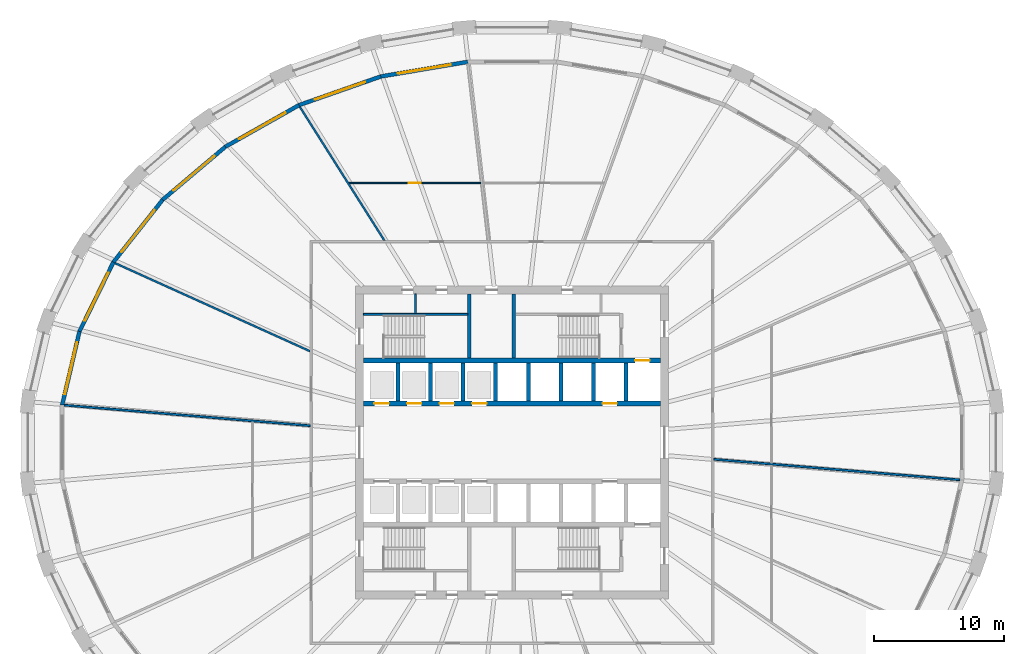
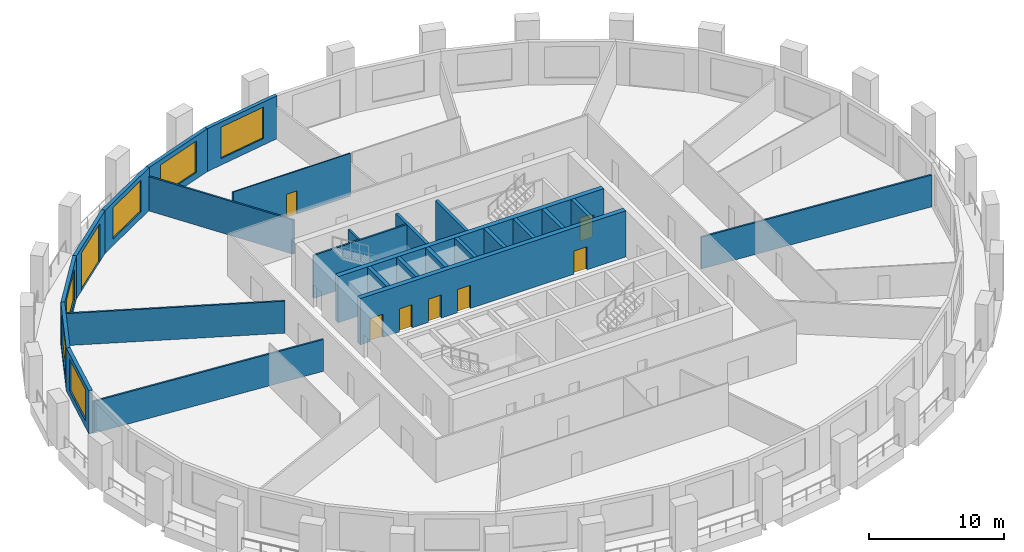
# One storey, part 5 of 10: 26 walls, 8 doors, 6 windows, 14 openings.
"""IFC4 building model written with IfcOpenShell, lengths in metres."""

from ifc_helpers import new_model, si_unit, direction, frame, frame_2d, origin, place, context, subcontext, project, spatial, polyline, rectangle, outline, extrude, material, layer, layer_set, type_object, element, fill, save


model = new_model("IFC4")

# Units and contexts
model_context = context("Model", 3, precision=1e-05, world=origin(), true_north=direction((0.0, 1.0)))
body_context = subcontext(model_context, "Body", "Model", "MODEL_VIEW")
ifc_project = project(units=[si_unit("LENGTHUNIT", "METRE"), si_unit("AREAUNIT", "SQUARE_METRE"), si_unit("VOLUMEUNIT", "CUBIC_METRE"), si_unit("PLANEANGLEUNIT", "RADIAN"), si_unit("MASSUNIT", "GRAM", prefix="KILO")], contexts=[model_context])

# Site, building, storey
site_placement = place(None, origin())
site = spatial("IfcSite", under=ifc_project, at=site_placement, CompositionType="ELEMENT")
building_placement = place(site_placement, origin())
building = spatial("IfcBuilding", under=site, at=building_placement, Name="Halqa Exchange Tower", CompositionType="ELEMENT")
storey_placement = place(building_placement, frame((0.0, 0.0, 48.699951171875)))
storey = spatial("IfcBuildingStorey", under=building, at=storey_placement, Name="L10", CompositionType="ELEMENT", Elevation=48.699951171875)

# Walls
ifc_material_1 = material(Name="Fire-rated gypsum board")
ifc_layer_1 = layer(ifc_material_1, 0.14990234375)
ifc_layer_set_1 = layer_set([ifc_layer_1], Name="Fire-rated gypsum board")
wall_type_1 = type_object("IfcWallType", Name="Fire partition EI 60 150", PredefinedType="PARTITIONING", material=ifc_layer_set_1)
wall_1_placement = place(storey_placement, frame((-34.343017578125, 2.864501953125, 0.0), z_axis=(0.0, 0.0, 1.0), x_axis=(0.996520554602, -0.083347371018, 0.0)))
element("IfcWall", 1, at=wall_1_placement, inside=storey, type_object=wall_type_1, Name="L10-PWL-001", PredefinedType="PARTITIONING", context=body_context, shape_type="SweptSolid", body=[
    extrude(outline(polyline([(0.0, -0.074951171875), (1.818115234375, -0.074951171875), (3.63623046875, -0.074951171875), (5.45458984375, -0.074951171875), (7.272705078125, -0.074951171875), (9.0908203125, -0.074951171875), (10.908935546875, -0.074951171875), (12.72705078125, -0.074951171875), (14.54541015625, -0.074951171875), (14.5498046875, -0.074462890625), (14.5498046875, -0.074951171875), (16.013427734375, -0.074951171875), (17.476806640625, -0.074951171875), (18.940185546875, -0.074951171875), (18.927734375, 0.074951171875), (17.035400390625, 0.074951171875), (15.143310546875, 0.074951171875), (13.2509765625, 0.074951171875), (11.35888671875, 0.074951171875), (9.466552734375, 0.074951171875), (7.574462890625, 0.074951171875), (5.68212890625, 0.074951171875), (3.7900390625, 0.074951171875), (1.897705078125, 0.074951171875), (0.005615234375, 0.074951171875), (0.0, 0.03759765625), (0.0, -0.074951171875)])), origin(), (0.0, 0.0, 1.0), 2.89208984375),
])
wall_2_placement = place(storey_placement, frame((-16.27294921875, 25.74169921875, 0.0), z_axis=(0.0, 0.0, 1.0), x_axis=(0.534654841392, -0.845070529942, 0.0)))
element("IfcWall", 2, at=wall_2_placement, inside=storey, type_object=wall_type_1, Name="L10-PWL-005", PredefinedType="PARTITIONING", context=body_context, shape_type="SweptSolid", body=[
    extrude(outline(polyline([(0.0, -0.074951171875), (1.728759765625, -0.074951171875), (3.45751953125, -0.074951171875), (5.186279296875, -0.074951171875), (6.9150390625, -0.074951171875), (8.64404296875, -0.074951171875), (10.372802734375, -0.074951171875), (12.1015625, -0.074951171875), (12.1962890625, 0.074951171875), (12.1962890625, 0.074951171875), (10.470703125, 0.074951171875), (8.744873046875, 0.074951171875), (7.019287109375, 0.074951171875), (7.017578125, 0.072265625), (7.01318359375, 0.074951171875), (5.26513671875, 0.074951171875), (3.516845703125, 0.074951171875), (1.768798828125, 0.074951171875), (0.020751953125, 0.074951171875), (0.003662109375, 0.00048828125), (0.0, -0.071044921875), (0.0, -0.074951171875)])), origin(), (0.0, 0.0, 1.0), 3.110107421875),
])
wall_3_placement = place(storey_placement, frame((-15.444091796875, 6.97998046875, 0.0), z_axis=(0.0, 0.0, 1.0), x_axis=(-0.911343853748, 0.411645940385, 0.0)))
element("IfcWall", 3, at=wall_3_placement, inside=storey, type_object=wall_type_1, Name="L10-PWL-008", PredefinedType="PARTITIONING", context=body_context, shape_type="SweptSolid", body=[
    extrude(outline(polyline([(0.06787109375, -0.074951171875), (1.88671875, -0.074951171875), (3.705810546875, -0.074951171875), (5.52490234375, -0.074951171875), (7.34375, -0.074951171875), (9.162841796875, -0.074951171875), (10.98193359375, -0.074951171875), (12.80078125, -0.074951171875), (14.619873046875, -0.074951171875), (16.43896484375, -0.074951171875), (16.45654296875, -0.003662109375), (16.458740234375, 0.064208984375), (16.458740234375, 0.074951171875), (14.6298828125, 0.074951171875), (12.80126953125, 0.074951171875), (10.972412109375, 0.074951171875), (9.143798828125, 0.074951171875), (7.31494140625, 0.074951171875), (5.486328125, 0.074951171875), (3.657470703125, 0.074951171875), (1.828857421875, 0.074951171875), (0.0, 0.074951171875), (0.06787109375, -0.074951171875)])), origin(), (0.0, 0.0, 1.0), 2.91015625),
])
wall_4_placement = place(storey_placement, frame((15.46875, -1.285888671875, 0.0), z_axis=(0.0, 0.0, 1.0), x_axis=(0.996520554602, -0.083347371018, 0.0)))
element("IfcWall", 4, at=wall_4_placement, inside=storey, type_object=wall_type_1, Name="L10-PWL-020", PredefinedType="PARTITIONING", context=body_context, shape_type="SweptSolid", body=[
    extrude(outline(polyline([(0.012451171875, -0.074951171875), (1.505859375, -0.074951171875), (2.9990234375, -0.074951171875), (4.4921875, -0.074951171875), (4.503173828125, -0.073974609375), (4.503173828125, -0.074951171875), (6.30712890625, -0.074951171875), (8.111083984375, -0.074951171875), (9.9150390625, -0.074951171875), (11.718994140625, -0.074951171875), (13.52294921875, -0.074951171875), (15.32666015625, -0.074951171875), (17.130615234375, -0.074951171875), (18.9345703125, -0.074951171875), (18.940185546875, -0.03759765625), (18.940185546875, 0.074951171875), (17.1220703125, 0.074951171875), (15.303955078125, 0.074951171875), (13.485595703125, 0.074951171875), (11.66748046875, 0.074951171875), (9.849365234375, 0.074951171875), (8.03125, 0.074951171875), (6.213134765625, 0.074951171875), (4.394775390625, 0.074951171875), (4.390380859375, 0.074462890625), (4.390380859375, 0.074951171875), (2.9267578125, 0.074951171875), (1.46337890625, 0.074951171875), (0.0, 0.074951171875), (0.012451171875, -0.074951171875)])), origin(), (0.0, 0.0, 1.0), 2.89208984375),
])

# Wall, opening, door
ifc_material_2 = material(Name="Gypsum board")
ifc_layer_2 = layer(ifc_material_2, 0.10009765625)
ifc_layer_set_2 = layer_set([ifc_layer_2], Name="Gypsum board")
wall_type_2 = type_object("IfcWallType", Name="Partition 100 gypsum", PredefinedType="PARTITIONING", material=ifc_layer_set_2)
wall_5_placement = place(storey_placement, frame((-12.51953125, 19.89990234375, 0.0), z_axis=(0.0, 0.0, 1.0), x_axis=(1.0, 0.0, 0.0)))
wall_5 = element("IfcWall", 5, at=wall_5_placement, inside=storey, type_object=wall_type_2, Name="L10-PWL-011", PredefinedType="PARTITIONING", context=body_context, shape_type="SweptSolid", body=[
    extrude(outline(polyline([(10.133544921875, -0.050048828125), (10.133544921875, -0.049072265625), (10.1220703125, 0.050048828125), (8.43505859375, 0.050048828125), (6.748046875, 0.050048828125), (5.06103515625, 0.050048828125), (3.3740234375, 0.050048828125), (1.68701171875, 0.050048828125), (0.0, 0.050048828125), (0.0, 0.049560546875), (0.06298828125, -0.050048828125), (1.741455078125, -0.050048828125), (3.419677734375, -0.050048828125), (5.09814453125, -0.050048828125), (6.776611328125, -0.050048828125), (8.455078125, -0.050048828125), (10.133544921875, -0.050048828125)])), origin(), (0.0, 0.0, 1.0), 3.900146484375),
])
opening_1_placement = place(wall_5_placement, frame((4.619384765625, 0.0, 0.0)))
opening_1 = element("IfcOpeningElement", 6, at=opening_1_placement, cuts=wall_5, Name="Opening 03-15", PredefinedType="OPENING", context=body_context, shape_type="SweptSolid", body=[
    extrude(rectangle(XDim=0.89990234375, YDim=2.10009765625, at=frame_2d((0.449951171875, 1.050048828125))), frame((0.0, 0.06201171875, 0.0), z_axis=(0.0, -1.0, 0.0), x_axis=(1.0, 0.0, 0.0)), (0.0, 0.0, 1.0), 0.1240234375),
])
ifc_material_3 = material(Name="Timber door leaf", Category="wood")
door_type_1 = type_object("IfcDoorType", Name="Door 900 x 2100", OperationType="SINGLE_SWING_LEFT", PredefinedType="DOOR", material=ifc_material_3)
door_1_placement = place(opening_1_placement, frame((0.89990234375, 0.0, 0.0), z_axis=(0.0, 0.0, 1.0), x_axis=(-1.0, 0.0, 0.0)))
door_1 = element("IfcDoor", 7, at=door_1_placement, inside=storey, type_object=door_type_1, Name="L10-IDR-015", OperationType="SINGLE_SWING_LEFT", OverallHeight=2.10009765625, OverallWidth=0.89990234375, PredefinedType="DOOR", context=body_context, shape_type="SweptSolid", body=[
    extrude(rectangle(XDim=0.89990234375, YDim=2.10009765625, at=frame_2d((0.449951171875, 1.050048828125))), frame((0.0, 0.02490234375, 0.0), z_axis=(0.0, -1.0, 0.0), x_axis=(1.0, 0.0, 0.0)), (0.0, 0.0, 1.0), 0.050048828125),
])
fill(opening_1, door_1)

# Walls
ifc_layer_3 = layer(ifc_material_2, 0.14990234375)
ifc_layer_set_3 = layer_set([ifc_layer_3], Name="Gypsum board")
wall_type_3 = type_object("IfcWallType", Name="Penthouse riser wall 150 gypsum", PredefinedType="PARTITIONING", material=ifc_layer_set_3)
wall_6_placement = place(storey_placement, frame((-7.39990234375, 9.89990234375, 0.0), z_axis=(0.0, 0.0, 1.0), x_axis=(0.0, 1.0, 0.0)))
element("IfcWall", 8, at=wall_6_placement, inside=storey, type_object=wall_type_3, Name="Partition W7.400 N", PredefinedType="PARTITIONING", context=body_context, shape_type="SweptSolid", body=[
    extrude(rectangle(XDim=1.5, YDim=0.14990234375, at=frame_2d((0.75, 0.0))), origin(), (0.0, 0.0, 1.0), 3.900146484375),
])
ifc_material_4 = material(Name="Concrete C60/75", Category="concrete")
ifc_layer_4 = layer(ifc_material_4, 0.300048828125)
ifc_layer_set_4 = layer_set([ifc_layer_4], Name="Concrete C60/75")
wall_type_4 = type_object("IfcWallType", Name="RC core wall 300", PredefinedType="SHEAR", material=ifc_layer_set_4)
for number, where, z_axis, x_axis, name in (
    (9, (-8.75, 3.199951171875, 0.0), (0.0, 0.0, 1.0), (0.0, 1.0, 0.0), "Shaft divider N1"),
    (10, (-6.25, 3.199951171875, 0.0), (0.0, 0.0, 1.0), (0.0, 1.0, 0.0), "Shaft divider N2"),
    (11, (-3.75, 3.199951171875, 0.0), (0.0, 0.0, 1.0), (0.0, 1.0, 0.0), "Shaft divider N3"),
    (12, (-1.25, 3.199951171875, 0.0), (0.0, 0.0, 1.0), (0.0, 1.0, 0.0), "Shaft divider N4"),
    (13, (1.25, 3.199951171875, 0.0), (0.0, 0.0, 1.0), (0.0, 1.0, 0.0), "Shaft divider N5"),
    (14, (3.75, 3.199951171875, 0.0), (0.0, 0.0, 1.0), (0.0, 1.0, 0.0), "Shaft divider N6"),
    (15, (6.25, 3.199951171875, 0.0), (0.0, 0.0, 1.0), (0.0, 1.0, 0.0), "Shaft divider N7"),
    (16, (8.75, 3.199951171875, 0.0), (0.0, 0.0, 1.0), (0.0, 1.0, 0.0), "Shaft divider N8"),
):
    element("IfcWall", number, at=place(storey_placement, frame(where, z_axis=z_axis, x_axis=x_axis)), inside=storey, type_object=wall_type_4, Name=name, PredefinedType="SHEAR", context=body_context, shape_type="SweptSolid", body=[
        extrude(rectangle(XDim=2.900146484375, YDim=0.300048828125, at=frame_2d((1.4501953125, 0.0))), origin(), (0.0, 0.0, 1.0), 4.199951171875),
    ])

# Wall, openings, doors
ifc_material_5 = material(Name="Concrete C80/95", Category="concrete")
ifc_layer_5 = layer(ifc_material_5, 0.39990234375)
ifc_layer_set_5 = layer_set([ifc_layer_5], Name="Concrete C80/95")
wall_type_5 = type_object("IfcWallType", Name="RC core wall 400 C80/95", PredefinedType="SHEAR", material=ifc_layer_set_5)
wall_7_placement = place(storey_placement, frame((-11.39990234375, 3.0, 0.0), z_axis=(0.0, 0.0, 1.0), x_axis=(1.0, 0.0, 0.0)))
wall_7 = element("IfcWall", 17, at=wall_7_placement, inside=storey, type_object=wall_type_5, Name="Lift row front wall N", PredefinedType="SHEAR", context=body_context, shape_type="SweptSolid", body=[
    extrude(rectangle(XDim=22.7998046875, YDim=0.39990234375, at=frame_2d((11.39990234375, 0.0))), origin(), (0.0, 0.0, 1.0), 4.199951171875),
])
opening_2_placement = place(wall_7_placement, frame((0.85009765625, 0.0, 0.0)))
opening_2 = element("IfcOpeningElement", 18, at=opening_2_placement, cuts=wall_7, Name="Opening LD-LR1-T03", PredefinedType="OPENING", context=body_context, shape_type="SweptSolid", body=[
    extrude(rectangle(XDim=1.10009765625, YDim=2.10009765625, at=frame_2d((0.550048828125, 1.050048828125))), frame((0.0, 0.2119140625, 0.0), z_axis=(0.0, -1.0, 0.0), x_axis=(1.0, 0.0, 0.0)), (0.0, 0.0, 1.0), 0.423828125),
])
opening_3_placement = place(wall_7_placement, frame((3.35009765625, 0.0, 0.0)))
opening_3 = element("IfcOpeningElement", 19, at=opening_3_placement, cuts=wall_7, Name="Opening LD-LR2-T03", PredefinedType="OPENING", context=body_context, shape_type="SweptSolid", body=[
    extrude(rectangle(XDim=1.10009765625, YDim=2.10009765625, at=frame_2d((0.550048828125, 1.050048828125))), frame((0.0, 0.2119140625, 0.0), z_axis=(0.0, -1.0, 0.0), x_axis=(1.0, 0.0, 0.0)), (0.0, 0.0, 1.0), 0.423828125),
])
opening_4_placement = place(wall_7_placement, frame((5.85009765625, 0.0, 0.0)))
opening_4 = element("IfcOpeningElement", 20, at=opening_4_placement, cuts=wall_7, Name="Opening LD-LR3-T03", PredefinedType="OPENING", context=body_context, shape_type="SweptSolid", body=[
    extrude(rectangle(XDim=1.10009765625, YDim=2.10009765625, at=frame_2d((0.550048828125, 1.050048828125))), frame((0.0, 0.2119140625, 0.0), z_axis=(0.0, -1.0, 0.0), x_axis=(1.0, 0.0, 0.0)), (0.0, 0.0, 1.0), 0.423828125),
])
opening_5_placement = place(wall_7_placement, frame((8.35009765625, 0.0, 0.0)))
opening_5 = element("IfcOpeningElement", 21, at=opening_5_placement, cuts=wall_7, Name="Opening LD-LR4-T03", PredefinedType="OPENING", context=body_context, shape_type="SweptSolid", body=[
    extrude(rectangle(XDim=1.10009765625, YDim=2.10009765625, at=frame_2d((0.550048828125, 1.050048828125))), frame((0.0, 0.2119140625, 0.0), z_axis=(0.0, -1.0, 0.0), x_axis=(1.0, 0.0, 0.0)), (0.0, 0.0, 1.0), 0.423828125),
])
opening_6_placement = place(wall_7_placement, frame((18.35009765625, 0.0, 0.0)))
opening_6 = element("IfcOpeningElement", 22, at=opening_6_placement, cuts=wall_7, Name="Opening LD-SV1-T03", PredefinedType="OPENING", context=body_context, shape_type="SweptSolid", body=[
    extrude(rectangle(XDim=1.10009765625, YDim=2.10009765625, at=frame_2d((0.550048828125, 1.050048828125))), frame((0.0, 0.2119140625, 0.0), z_axis=(0.0, -1.0, 0.0), x_axis=(1.0, 0.0, 0.0)), (0.0, 0.0, 1.0), 0.423828125),
])
ifc_material_6 = material(Name="Stainless steel", Category="steel")
door_type_2 = type_object("IfcDoorType", Name="Lift landing door 1100 x 2100", OperationType="SLIDING_TO_LEFT", PredefinedType="DOOR", material=ifc_material_6)
door_2_placement = place(opening_2_placement, origin())
door_2 = element("IfcDoor", 23, at=door_2_placement, inside=storey, type_object=door_type_2, Name="Lift landing door LR1", OperationType="SLIDING_TO_LEFT", OverallHeight=2.10009765625, OverallWidth=1.10009765625, PredefinedType="DOOR", context=body_context, shape_type="SweptSolid", body=[
    extrude(rectangle(XDim=1.10009765625, YDim=2.10009765625, at=frame_2d((0.550048828125, 1.050048828125))), frame((0.0, 0.02490234375, 0.0), z_axis=(0.0, -1.0, 0.0), x_axis=(1.0, 0.0, 0.0)), (0.0, 0.0, 1.0), 0.050048828125),
])
fill(opening_2, door_2)
door_3_placement = place(opening_3_placement, origin())
door_3 = element("IfcDoor", 24, at=door_3_placement, inside=storey, type_object=door_type_2, Name="Lift landing door LR2", OperationType="SLIDING_TO_LEFT", OverallHeight=2.10009765625, OverallWidth=1.10009765625, PredefinedType="DOOR", context=body_context, shape_type="SweptSolid", body=[
    extrude(rectangle(XDim=1.10009765625, YDim=2.10009765625, at=frame_2d((0.550048828125, 1.050048828125))), frame((0.0, 0.02490234375, 0.0), z_axis=(0.0, -1.0, 0.0), x_axis=(1.0, 0.0, 0.0)), (0.0, 0.0, 1.0), 0.050048828125),
])
fill(opening_3, door_3)
door_4_placement = place(opening_4_placement, origin())
door_4 = element("IfcDoor", 25, at=door_4_placement, inside=storey, type_object=door_type_2, Name="Lift landing door LR3", OperationType="SLIDING_TO_LEFT", OverallHeight=2.10009765625, OverallWidth=1.10009765625, PredefinedType="DOOR", context=body_context, shape_type="SweptSolid", body=[
    extrude(rectangle(XDim=1.10009765625, YDim=2.10009765625, at=frame_2d((0.550048828125, 1.050048828125))), frame((0.0, 0.02490234375, 0.0), z_axis=(0.0, -1.0, 0.0), x_axis=(1.0, 0.0, 0.0)), (0.0, 0.0, 1.0), 0.050048828125),
])
fill(opening_4, door_4)
door_5_placement = place(opening_5_placement, origin())
door_5 = element("IfcDoor", 26, at=door_5_placement, inside=storey, type_object=door_type_2, Name="Lift landing door LR4", OperationType="SLIDING_TO_LEFT", OverallHeight=2.10009765625, OverallWidth=1.10009765625, PredefinedType="DOOR", context=body_context, shape_type="SweptSolid", body=[
    extrude(rectangle(XDim=1.10009765625, YDim=2.10009765625, at=frame_2d((0.550048828125, 1.050048828125))), frame((0.0, 0.02490234375, 0.0), z_axis=(0.0, -1.0, 0.0), x_axis=(1.0, 0.0, 0.0)), (0.0, 0.0, 1.0), 0.050048828125),
])
fill(opening_5, door_5)
door_6_placement = place(opening_6_placement, origin())
door_6 = element("IfcDoor", 27, at=door_6_placement, inside=storey, type_object=door_type_2, Name="Lift landing door SV1", OperationType="SLIDING_TO_LEFT", OverallHeight=2.10009765625, OverallWidth=1.10009765625, PredefinedType="DOOR", context=body_context, shape_type="SweptSolid", body=[
    extrude(rectangle(XDim=1.10009765625, YDim=2.10009765625, at=frame_2d((0.550048828125, 1.050048828125))), frame((0.0, 0.02490234375, 0.0), z_axis=(0.0, -1.0, 0.0), x_axis=(1.0, 0.0, 0.0)), (0.0, 0.0, 1.0), 0.050048828125),
])
fill(opening_6, door_6)

# Wall, opening, door
wall_8_placement = place(storey_placement, frame((-11.39990234375, 6.300048828125, 0.0), z_axis=(0.0, 0.0, 1.0), x_axis=(1.0, 0.0, 0.0)))
wall_8 = element("IfcWall", 28, at=wall_8_placement, inside=storey, type_object=wall_type_5, Name="Lift row back wall N", PredefinedType="SHEAR", context=body_context, shape_type="SweptSolid", body=[
    extrude(rectangle(XDim=22.7998046875, YDim=0.39990234375, at=frame_2d((11.39990234375, 0.0))), origin(), (0.0, 0.0, 1.0), 4.199951171875),
])
opening_7_placement = place(wall_8_placement, frame((20.85009765625, 0.0, 0.0)))
opening_7 = element("IfcOpeningElement", 29, at=opening_7_placement, cuts=wall_8, Name="Opening LD-FF1-T03", PredefinedType="OPENING", context=body_context, shape_type="SweptSolid", body=[
    extrude(rectangle(XDim=1.10009765625, YDim=2.10009765625, at=frame_2d((0.550048828125, 1.050048828125))), frame((0.0, 0.2119140625, 0.0), z_axis=(0.0, -1.0, 0.0), x_axis=(1.0, 0.0, 0.0)), (0.0, 0.0, 1.0), 0.423828125),
])
door_7_placement = place(opening_7_placement, origin())
door_7 = element("IfcDoor", 30, at=door_7_placement, inside=storey, type_object=door_type_2, Name="Lift landing door FF1", OperationType="SLIDING_TO_LEFT", OverallHeight=2.10009765625, OverallWidth=1.10009765625, PredefinedType="DOOR", context=body_context, shape_type="SweptSolid", body=[
    extrude(rectangle(XDim=1.10009765625, YDim=2.10009765625, at=frame_2d((0.550048828125, 1.050048828125))), frame((0.0, 0.02490234375, 0.0), z_axis=(0.0, -1.0, 0.0), x_axis=(1.0, 0.0, 0.0)), (0.0, 0.0, 1.0), 0.050048828125),
])
fill(opening_7, door_7)

# Walls
ifc_material_7 = material(Name="Concrete C30/37", Category="concrete")
ifc_layer_6 = layer(ifc_material_7, 0.14990234375)
ifc_layer_set_6 = layer_set([ifc_layer_6], Name="Concrete C30/37")
wall_type_6 = type_object("IfcWallType", Name="RC stair wall 150 C30/37", PredefinedType="SHEAR", material=ifc_layer_set_6)
wall_9_placement = place(storey_placement, frame((-11.39990234375, 9.824951171875, 0.0), z_axis=(0.0, 0.0, 1.0), x_axis=(1.0, 0.0, 0.0)))
element("IfcWall", 31, at=wall_9_placement, inside=storey, type_object=wall_type_6, Name="Stair ST1 north wall N", PredefinedType="SHEAR", context=body_context, shape_type="SweptSolid", body=[
    extrude(rectangle(XDim=8.0, YDim=0.14990234375, at=frame_2d((4.0, 0.0))), origin(), (0.0, 0.0, 1.0), 3.900146484375),
])
ifc_layer_7 = layer(ifc_material_7, 0.25)
ifc_layer_set_7 = layer_set([ifc_layer_7], Name="Concrete C30/37")
wall_type_7 = type_object("IfcWallType", Name="RC stair wall 250 C30/37", PredefinedType="SHEAR", material=ifc_layer_set_7)
for number, where, z_axis, x_axis, name in (
    (32, (-3.27490234375, 6.5, 0.0), (0.0, 0.0, 1.0), (0.0, 1.0, 0.0), "Stair ST1 east wall N"),
    (33, (0.125, 6.5, 0.0), (0.0, 0.0, 1.0), (0.0, 1.0, 0.0), "Stair ST2 west wall N"),
):
    element("IfcWall", number, at=place(storey_placement, frame(where, z_axis=z_axis, x_axis=x_axis)), inside=storey, type_object=wall_type_7, Name=name, PredefinedType="SHEAR", context=body_context, shape_type="SweptSolid", body=[
        extrude(rectangle(XDim=4.89990234375, YDim=0.25, at=frame_2d((2.449951171875, 0.0))), origin(), (0.0, 0.0, 1.0), 3.900146484375),
    ])

# Wall, opening, window
ifc_material_8 = material(Name="Limestone cladding", Category="masonry")
ifc_layer_8 = layer(ifc_material_8, 0.0400390625)
ifc_material_9 = material(Name="Ventilated cavity")
ifc_layer_9 = layer(ifc_material_9, 0.030029296875, ventilated=True)
ifc_material_10 = material(Name="Mineral wool insulation")
ifc_layer_10 = layer(ifc_material_10, 0.10009765625)
ifc_layer_11 = layer(ifc_material_7, 0.10009765625)
ifc_material_11 = material(Name="Internal plaster")
ifc_layer_12 = layer(ifc_material_11, 0.030029296875)
ifc_layer_set_8 = layer_set([ifc_layer_8, ifc_layer_9, ifc_layer_10, ifc_layer_11, ifc_layer_12], Name="Stone-faced insulated wall 300")
wall_type_8 = type_object("IfcWallType", Name="Stone-faced insulated wall 300", PredefinedType="STANDARD", material=ifc_layer_set_8)
wall_10_placement = place(storey_placement, frame((-3.3955078125, 29.194580078125, 0.0), z_axis=(0.0, 0.0, 1.0), x_axis=(-0.986149614624, -0.165858185139, 0.0)))
wall_10 = element("IfcWall", 34, at=wall_10_placement, inside=storey, type_object=wall_type_8, Name="Glass-line wall 9", PredefinedType="STANDARD", context=body_context, shape_type="SweptSolid", body=[
    extrude(outline(polyline([(-0.012451171875, -0.14990234375), (6.767578125, -0.14990234375), (6.7421875, 0.14990234375), (0.012451171875, 0.14990234375), (-0.012451171875, -0.14990234375)])), origin(), (0.0, 0.0, 1.0), 3.900146484375),
])
opening_8_placement = place(wall_10_placement, frame((1.327392578125, 0.0, 0.60009765625)))
opening_8 = element("IfcOpeningElement", 35, at=opening_8_placement, cuts=wall_10, Name="Opening W-F1-09", PredefinedType="OPENING", context=body_context, shape_type="SweptSolid", body=[
    extrude(rectangle(XDim=4.10009765625, YDim=2.85009765625, at=frame_2d((2.050048828125, 1.425048828125))), frame((0.0, 0.162109375, 0.0), z_axis=(0.0, -1.0, 0.0), x_axis=(1.0, 0.0, 0.0)), (0.0, 0.0, 1.0), 0.323974609375),
])
ifc_material_12 = material(Name="Clear low-emissivity glass in aluminium frame", Category="aluminium")
window_type = type_object("IfcWindowType", Name="Fixed clear glazed window 4100 x 2850", PartitioningType="TRIPLE_PANEL_VERTICAL", PredefinedType="WINDOW", material=ifc_material_12)
window_1_placement = place(opening_8_placement, origin())
window_1 = element("IfcWindow", 36, at=window_1_placement, inside=storey, type_object=window_type, Name="Window 1", OverallHeight=2.85009765625, OverallWidth=4.10009765625, PartitioningType="TRIPLE_PANEL_VERTICAL", PredefinedType="WINDOW", context=body_context, shape_type="SweptSolid", body=[
    extrude(rectangle(XDim=4.10009765625, YDim=2.85009765625, at=frame_2d((2.050048828125, 1.425048828125))), frame((0.0, 0.030029296875, 0.0), z_axis=(0.0, -1.0, 0.0), x_axis=(1.0, 0.0, 0.0)), (0.0, 0.0, 1.0), 0.06005859375),
])
fill(opening_8, window_1)

wall_11_placement = place(storey_placement, frame((-10.056884765625, 28.07421875, 0.0), z_axis=(0.0, 0.0, 1.0), x_axis=(-0.943790794479, -0.330543395421, 0.0)))
wall_11 = element("IfcWall", 37, at=wall_11_placement, inside=storey, type_object=wall_type_8, Name="Glass-line wall 10", PredefinedType="STANDARD", context=body_context, shape_type="SweptSolid", body=[
    extrude(outline(polyline([(-0.0126953125, -0.14990234375), (6.6630859375, -0.14990234375), (6.63623046875, 0.14990234375), (0.0126953125, 0.14990234375), (-0.0126953125, -0.14990234375)])), origin(), (0.0, 0.0, 1.0), 3.900146484375),
])
opening_9_placement = place(wall_11_placement, frame((1.27490234375, 0.0, 0.60009765625)))
opening_9 = element("IfcOpeningElement", 38, at=opening_9_placement, cuts=wall_11, Name="Opening W-F1-10", PredefinedType="OPENING", context=body_context, shape_type="SweptSolid", body=[
    extrude(rectangle(XDim=4.10009765625, YDim=2.85009765625, at=frame_2d((2.050048828125, 1.425048828125))), frame((0.0, 0.162109375, 0.0), z_axis=(0.0, -1.0, 0.0), x_axis=(1.0, 0.0, 0.0)), (0.0, 0.0, 1.0), 0.323974609375),
])
window_2_placement = place(opening_9_placement, origin())
window_2 = element("IfcWindow", 39, at=window_2_placement, inside=storey, type_object=window_type, Name="Window 1", OverallHeight=2.85009765625, OverallWidth=4.10009765625, PartitioningType="TRIPLE_PANEL_VERTICAL", PredefinedType="WINDOW", context=body_context, shape_type="SweptSolid", body=[
    extrude(rectangle(XDim=4.10009765625, YDim=2.85009765625, at=frame_2d((2.050048828125, 1.425048828125))), frame((0.0, 0.030029296875, 0.0), z_axis=(0.0, -1.0, 0.0), x_axis=(1.0, 0.0, 0.0)), (0.0, 0.0, 1.0), 0.06005859375),
])
fill(opening_9, window_2)

wall_12_placement = place(storey_placement, frame((-16.332763671875, 25.876220703125, 0.0), z_axis=(0.0, 0.0, 1.0), x_axis=(-0.870647609977, -0.491907246584, 0.0)))
wall_12 = element("IfcWall", 40, at=wall_12_placement, inside=storey, type_object=wall_type_8, Name="Glass-line wall 11", PredefinedType="STANDARD", context=body_context, shape_type="SweptSolid", body=[
    extrude(outline(polyline([(-0.013427734375, -0.14990234375), (6.50341796875, -0.14990234375), (6.47509765625, 0.14990234375), (0.013427734375, 0.14990234375), (-0.013427734375, -0.14990234375)])), origin(), (0.0, 0.0, 1.0), 3.900146484375),
])
opening_10_placement = place(wall_12_placement, frame((1.194580078125, 0.0, 0.60009765625)))
opening_10 = element("IfcOpeningElement", 41, at=opening_10_placement, cuts=wall_12, Name="Opening W-F1-11", PredefinedType="OPENING", context=body_context, shape_type="SweptSolid", body=[
    extrude(rectangle(XDim=4.10009765625, YDim=2.85009765625, at=frame_2d((2.050048828125, 1.425048828125))), frame((0.0, 0.162109375, 0.0), z_axis=(0.0, -1.0, 0.0), x_axis=(1.0, 0.0, 0.0)), (0.0, 0.0, 1.0), 0.323974609375),
])
window_3_placement = place(opening_10_placement, origin())
window_3 = element("IfcWindow", 42, at=window_3_placement, inside=storey, type_object=window_type, Name="Window 1", OverallHeight=2.85009765625, OverallWidth=4.10009765625, PartitioningType="TRIPLE_PANEL_VERTICAL", PredefinedType="WINDOW", context=body_context, shape_type="SweptSolid", body=[
    extrude(rectangle(XDim=4.10009765625, YDim=2.85009765625, at=frame_2d((2.050048828125, 1.425048828125))), frame((0.0, 0.030029296875, 0.0), z_axis=(0.0, -1.0, 0.0), x_axis=(1.0, 0.0, 0.0)), (0.0, 0.0, 1.0), 0.06005859375),
])
fill(opening_10, window_3)

# Wall, opening, door
wall_13_placement = place(storey_placement, frame((-21.982666015625, 22.68408203125, 0.0), z_axis=(0.0, 0.0, 1.0), x_axis=(-0.763614259808, -0.645672720671, 0.0)))
wall_13 = element("IfcWall", 43, at=wall_13_placement, inside=storey, type_object=wall_type_8, Name="Glass-line wall 12", PredefinedType="STANDARD", context=body_context, shape_type="SweptSolid", body=[
    extrude(outline(polyline([(-0.01416015625, -0.14990234375), (6.31005859375, -0.14990234375), (6.27978515625, 0.14990234375), (0.01416015625, 0.14990234375), (-0.01416015625, -0.14990234375)])), origin(), (0.0, 0.0, 1.0), 3.900146484375),
])
opening_11_placement = place(wall_13_placement, frame((1.097412109375, 0.0, 0.0)))
opening_11 = element("IfcOpeningElement", 44, at=opening_11_placement, cuts=wall_13, Name="Opening LG-F1-03", PredefinedType="OPENING", context=body_context, shape_type="SweptSolid", body=[
    extrude(rectangle(XDim=4.10009765625, YDim=3.449951171875, at=frame_2d((2.050048828125, 1.72509765625))), frame((0.0, 0.162109375, 0.0), z_axis=(0.0, -1.0, 0.0), x_axis=(1.0, 0.0, 0.0)), (0.0, 0.0, 1.0), 0.323974609375),
])
door_type_3 = type_object("IfcDoorType", Name="Glazed sliding loggia door 4100 x 3450", OperationType="DOUBLE_DOOR_SLIDING", PredefinedType="DOOR", material=ifc_material_12)
door_8_placement = place(opening_11_placement, origin())
door_8 = element("IfcDoor", 45, at=door_8_placement, inside=storey, type_object=door_type_3, Name="Loggia door 3", OperationType="DOUBLE_DOOR_SLIDING", OverallHeight=3.449951171875, OverallWidth=4.10009765625, PredefinedType="DOOR", context=body_context, shape_type="SweptSolid", body=[
    extrude(rectangle(XDim=4.10009765625, YDim=3.449951171875, at=frame_2d((2.050048828125, 1.72509765625))), frame((0.0, 0.02490234375, 0.0), z_axis=(0.0, -1.0, 0.0), x_axis=(1.0, 0.0, 0.0)), (0.0, 0.0, 1.0), 0.050048828125),
])
fill(opening_11, door_8)

# Wall, opening, window
wall_14_placement = place(storey_placement, frame((-26.78955078125, 18.61962890625, 0.0), z_axis=(0.0, 0.0, 1.0), x_axis=(-0.619993638342, -0.78460683684, 0.0)))
wall_14 = element("IfcWall", 46, at=wall_14_placement, inside=storey, type_object=wall_type_8, Name="Glass-line wall 13", PredefinedType="STANDARD", context=body_context, shape_type="SweptSolid", body=[
    extrude(outline(polyline([(-0.01513671875, -0.14990234375), (6.1103515625, -0.14990234375), (6.078125, 0.14990234375), (0.01513671875, 0.14990234375), (-0.01513671875, -0.14990234375)])), origin(), (0.0, 0.0, 1.0), 3.900146484375),
])
opening_12_placement = place(wall_14_placement, frame((0.9970703125, 0.0, 0.60009765625)))
opening_12 = element("IfcOpeningElement", 47, at=opening_12_placement, cuts=wall_14, Name="Opening W-F1-13", PredefinedType="OPENING", context=body_context, shape_type="SweptSolid", body=[
    extrude(rectangle(XDim=4.10009765625, YDim=2.85009765625, at=frame_2d((2.050048828125, 1.425048828125))), frame((0.0, 0.162109375, 0.0), z_axis=(0.0, -1.0, 0.0), x_axis=(1.0, 0.0, 0.0)), (0.0, 0.0, 1.0), 0.323974609375),
])
window_4_placement = place(opening_12_placement, origin())
window_4 = element("IfcWindow", 48, at=window_4_placement, inside=storey, type_object=window_type, Name="Window 1", OverallHeight=2.85009765625, OverallWidth=4.10009765625, PartitioningType="TRIPLE_PANEL_VERTICAL", PredefinedType="WINDOW", context=body_context, shape_type="SweptSolid", body=[
    extrude(rectangle(XDim=4.10009765625, YDim=2.85009765625, at=frame_2d((2.050048828125, 1.425048828125))), frame((0.0, 0.030029296875, 0.0), z_axis=(0.0, -1.0, 0.0), x_axis=(1.0, 0.0, 0.0)), (0.0, 0.0, 1.0), 0.06005859375),
])
fill(opening_12, window_4)

wall_15_placement = place(storey_placement, frame((-30.56787109375, 13.838134765625, 0.0), z_axis=(0.0, 0.0, 1.0), x_axis=(-0.439906146647, -0.898043752911, 0.0)))
wall_15 = element("IfcWall", 49, at=wall_15_placement, inside=storey, type_object=wall_type_8, Name="Glass-line wall 14", PredefinedType="STANDARD", context=body_context, shape_type="SweptSolid", body=[
    extrude(outline(polyline([(-0.01611328125, -0.14990234375), (5.935791015625, -0.14990234375), (5.902099609375, 0.14990234375), (0.01611328125, 0.14990234375), (-0.01611328125, -0.14990234375)])), origin(), (0.0, 0.0, 1.0), 3.900146484375),
])
opening_13_placement = place(wall_15_placement, frame((0.909423828125, 0.0, 0.60009765625)))
opening_13 = element("IfcOpeningElement", 50, at=opening_13_placement, cuts=wall_15, Name="Opening W-F1-14", PredefinedType="OPENING", context=body_context, shape_type="SweptSolid", body=[
    extrude(rectangle(XDim=4.10009765625, YDim=2.85009765625, at=frame_2d((2.050048828125, 1.425048828125))), frame((0.0, 0.162109375, 0.0), z_axis=(0.0, -1.0, 0.0), x_axis=(1.0, 0.0, 0.0)), (0.0, 0.0, 1.0), 0.323974609375),
])
window_5_placement = place(opening_13_placement, origin())
window_5 = element("IfcWindow", 51, at=window_5_placement, inside=storey, type_object=window_type, Name="Window 1", OverallHeight=2.85009765625, OverallWidth=4.10009765625, PartitioningType="TRIPLE_PANEL_VERTICAL", PredefinedType="WINDOW", context=body_context, shape_type="SweptSolid", body=[
    extrude(rectangle(XDim=4.10009765625, YDim=2.85009765625, at=frame_2d((2.050048828125, 1.425048828125))), frame((0.0, 0.030029296875, 0.0), z_axis=(0.0, -1.0, 0.0), x_axis=(1.0, 0.0, 0.0)), (0.0, 0.0, 1.0), 0.06005859375),
])
fill(opening_13, window_5)

wall_16_placement = place(storey_placement, frame((-33.171630859375, 8.522705078125, 0.0), z_axis=(0.0, 0.0, 1.0), x_axis=(-0.228990053972, -0.973428762253, 0.0)))
wall_16 = element("IfcWall", 52, at=wall_16_placement, inside=storey, type_object=wall_type_8, Name="Glass-line wall 15", PredefinedType="STANDARD", context=body_context, shape_type="SweptSolid", body=[
    extrude(outline(polyline([(-0.016845703125, -0.14990234375), (5.816162109375, -0.14990234375), (5.781494140625, 0.14990234375), (0.016845703125, 0.14990234375), (-0.016845703125, -0.14990234375)])), origin(), (0.0, 0.0, 1.0), 3.900146484375),
])
opening_14_placement = place(wall_16_placement, frame((0.849365234375, 0.0, 0.60009765625)))
opening_14 = element("IfcOpeningElement", 53, at=opening_14_placement, cuts=wall_16, Name="Opening W-F1-15", PredefinedType="OPENING", context=body_context, shape_type="SweptSolid", body=[
    extrude(rectangle(XDim=4.10009765625, YDim=2.85009765625, at=frame_2d((2.050048828125, 1.425048828125))), frame((0.0, 0.162109375, 0.0), z_axis=(0.0, -1.0, 0.0), x_axis=(1.0, 0.0, 0.0)), (0.0, 0.0, 1.0), 0.323974609375),
])
window_6_placement = place(opening_14_placement, origin())
window_6 = element("IfcWindow", 54, at=window_6_placement, inside=storey, type_object=window_type, Name="Window 1", OverallHeight=2.85009765625, OverallWidth=4.10009765625, PartitioningType="TRIPLE_PANEL_VERTICAL", PredefinedType="WINDOW", context=body_context, shape_type="SweptSolid", body=[
    extrude(rectangle(XDim=4.10009765625, YDim=2.85009765625, at=frame_2d((2.050048828125, 1.425048828125))), frame((0.0, 0.030029296875, 0.0), z_axis=(0.0, -1.0, 0.0), x_axis=(1.0, 0.0, 0.0)), (0.0, 0.0, 1.0), 0.06005859375),
])
fill(opening_14, window_6)

save(model, "model.ifc")
